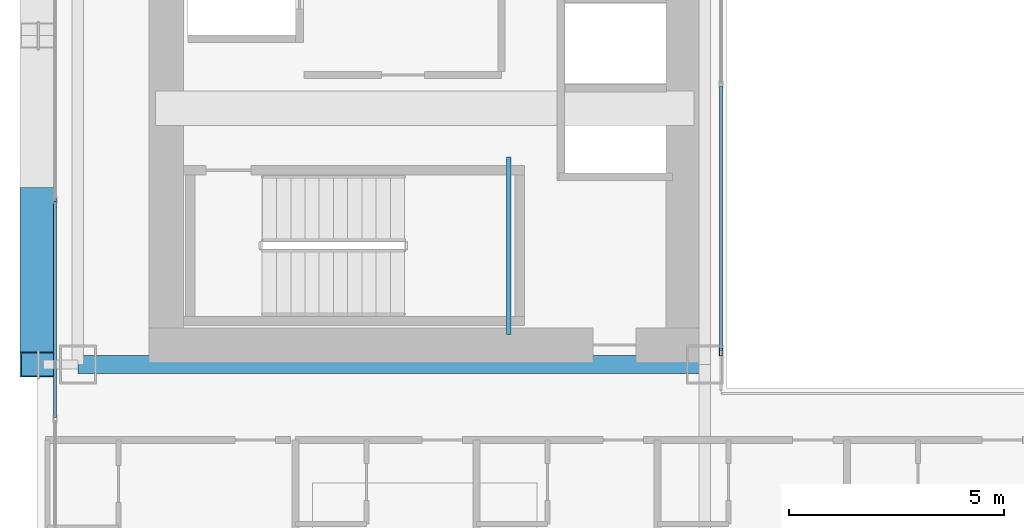
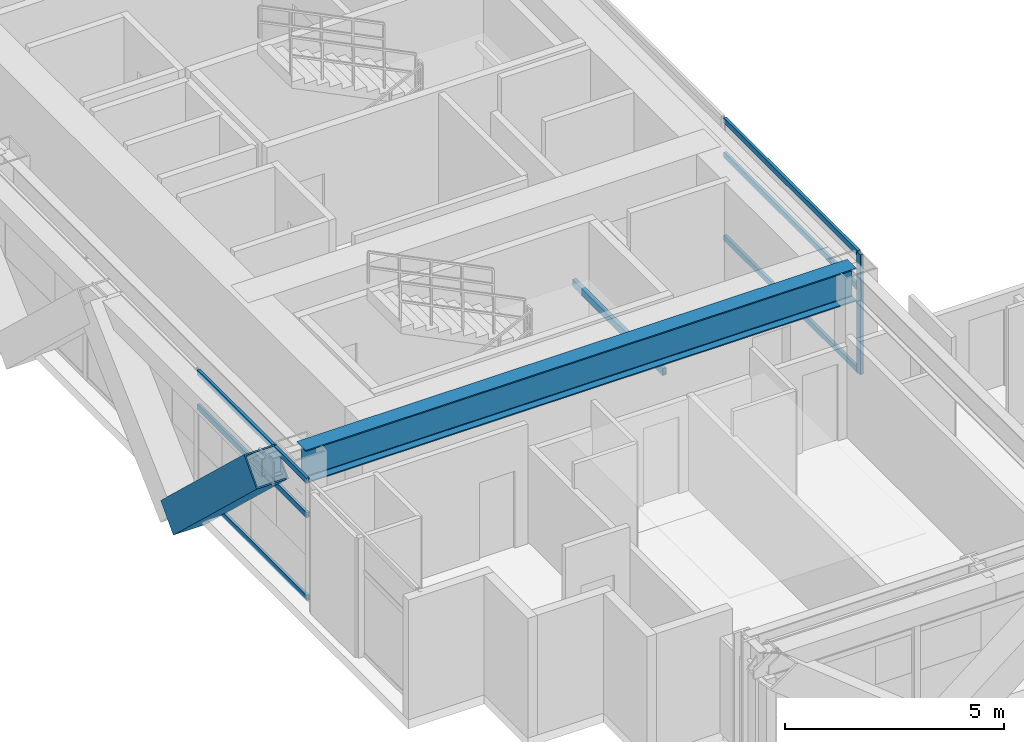
# One storey, part 4 of 41: 8 members, 2 beams, 2 elements without a shape of their own.
"""IFC4 building model written with IfcOpenShell, lengths in metres."""

from ifc_helpers import new_model, si_unit, direction, frame, origin, origin_2d, place, context, subcontext, project, spatial, hollow_rectangle, i_section, extrude, source, transform, mapped, material, layer, layer_set, material_profile, profile_set, type_object, element, aggregate, save


model = new_model("IFC4")

# Units and contexts
model_context = context("Model", 3, precision=1e-05, world=origin(), true_north=direction((0.0, 1.0)))
body_context = subcontext(model_context, "Body", "Model", "MODEL_VIEW")
ifc_project = project(units=[si_unit("LENGTHUNIT", "METRE"), si_unit("AREAUNIT", "SQUARE_METRE"), si_unit("VOLUMEUNIT", "CUBIC_METRE"), si_unit("PLANEANGLEUNIT", "RADIAN"), si_unit("MASSUNIT", "GRAM", prefix="KILO")], contexts=[model_context])

# Site, building, storey
site_placement = place(None, origin())
site = spatial("IfcSite", under=ifc_project, at=site_placement, CompositionType="ELEMENT")
building_placement = place(site_placement, origin())
building = spatial("IfcBuilding", under=site, at=building_placement, Name="Ocotamira Hotel", CompositionType="ELEMENT")
storey_placement = place(building_placement, frame((0.0, 0.0, 38.39990234375)))
storey = spatial("IfcBuildingStorey", under=building, at=storey_placement, Name="L08", CompositionType="ELEMENT", Elevation=38.39990234375)

# Beams
ifc_material_1 = material(Name="Steel ASTM A500 Grade C", Category="steel")
ifc_material_profile_1 = material_profile(ifc_material_1, hollow_rectangle(XDim=0.10009765625, YDim=0.199951171875, WallThickness=0.008056640625, at=origin_2d()), Name="HSS200X100X8")
ifc_profile_set_1 = profile_set([ifc_material_profile_1], Name="Steel ASTM A500 Grade C")
beam_type_1 = type_object("IfcBeamType", Name="BM-STLDG-HSS200", PredefinedType="BEAM", material=ifc_profile_set_1)
shared_shape_1 = source(origin(), body_context, "Body", "SweptSolid", [
    extrude(hollow_rectangle(XDim=0.10009765625, YDim=0.199951171875, WallThickness=0.008056640625, at=origin_2d()), origin(), (0.0, 0.0, 1.0), 4.1201171875),
])
beam_1_placement = place(storey_placement, frame((18.949951171875, 15.25, 1.5), z_axis=(0.0, 1.0, 0.0), x_axis=(-1.0, 0.0, 0.0)))
element("IfcBeam", 1, at=beam_1_placement, inside=storey, type_object=beam_type_1, Name="L08 Stair ST-1 Landing Bearer 1", PredefinedType="BEAM", context=body_context, shape_type="MappedRepresentation", body=[
    mapped(shared_shape_1, transform((0.0, 0.0, 0.0), scale=1.0)),
])
ifc_material_2 = material(Name="Steel ASTM A992 Grade 50", Category="steel")
ifc_material_profile_2 = material_profile(ifc_material_2, i_section(OverallWidth=0.41796875, OverallDepth=0.927001953125, WebThickness=0.019287109375, FlangeThickness=0.031982421875, FilletRadius=0.02392578125, at=origin_2d()), Name="W36X231")
ifc_profile_set_2 = profile_set([ifc_material_profile_2], Name="Steel ASTM A992 Grade 50")
beam_type_2 = type_object("IfcBeamType", Name="BM-GIRD-W36X231", PredefinedType="BEAM", material=ifc_profile_set_2)
shared_shape_2 = source(origin(), body_context, "Body", "SweptSolid", [
    extrude(i_section(OverallWidth=0.41796875, OverallDepth=0.927001953125, WebThickness=0.019287109375, FlangeThickness=0.031982421875, FilletRadius=0.02392578125, at=origin_2d()), origin(), (0.0, 0.0, 1.0), 14.550048828125),
])
beam_2_placement = place(storey_placement, frame((8.949951171875, 14.550048828125, 2.88671875), z_axis=(1.0, 0.0, 0.0), x_axis=(0.0, 1.0, 0.0)))
element("IfcBeam", 2, at=beam_2_placement, inside=storey, type_object=beam_type_2, Name="L08 Girder Y14.55 X8.95-23.5", PredefinedType="BEAM", context=body_context, shape_type="MappedRepresentation", body=[
    mapped(shared_shape_2, transform((0.0, 0.0, 0.0), scale=1.0)),
])

# Member
ifc_material_3 = material(Name="Pale-metal coated steel ASTM A913 Grade 65", Category="steel")
ifc_material_profile_3 = material_profile(ifc_material_3, hollow_rectangle(XDim=0.85009765625, YDim=0.85009765625, WallThickness=0.035888671875, at=origin_2d()), Name="BOX850X850X36")
ifc_profile_set_3 = profile_set([ifc_material_profile_3], Name="Pale-metal coated steel ASTM A913 Grade 65")
member_type_1 = type_object("IfcMemberType", Name="MEM-EXO-BOX850", PredefinedType="BRACE", material=ifc_profile_set_3)
shared_shape_3 = source(origin(), body_context, "Body", "SweptSolid", [
    extrude(hollow_rectangle(XDim=0.85009765625, YDim=0.85009765625, WallThickness=0.035888671875, at=origin_2d()), origin(), (0.0, 0.0, 1.0), 5.24658203125),
])
member_1_placement = place(storey_placement, frame((8.030029296875, 18.36669921875, -0.5), z_axis=(0.0, -0.727442733726, 0.686168397078), x_axis=(1.0, 0.0, 0.0)))
element("IfcMember", 3, at=member_1_placement, inside=storey, type_object=member_type_1, Name="L08 Exoskeleton Diagrid W0.1", PredefinedType="BRACE", context=body_context, shape_type="MappedRepresentation", body=[
    mapped(shared_shape_3, transform((0.0, 0.0, 0.0), scale=1.0)),
])

# Curtain wall, members
ifc_material_4 = material(Name="Anodised pale-metal aluminium and solar glass", Category="aluminium")
ifc_layer_1 = layer(ifc_material_4, 0.179931640625)
ifc_layer_set_1 = layer_set([ifc_layer_1], Name="Anodised pale-metal aluminium and solar glass")
curtain_wall_type_1 = type_object("IfcCurtainWallType", Name="CW-SYS2-Z1", PredefinedType="NOTDEFINED", material=ifc_layer_set_1)
curtain_wall_1_placement = place(storey_placement, origin())
curtain_wall_1 = element("IfcCurtainWall", 4, at=curtain_wall_1_placement, inside=storey, type_object=curtain_wall_type_1, Name="L08 Curtain Wall CW-2 CW-L08-W", PredefinedType="NOTDEFINED")
ifc_material_5 = material(Name="Anodised pale-metal aluminium 6063-T6", Category="aluminium")
ifc_material_profile_4 = material_profile(ifc_material_5, hollow_rectangle(XDim=0.074951171875, YDim=0.14990234375, WallThickness=0.006103515625, at=origin_2d()), Name="HSS150X75X6")
ifc_profile_set_4 = profile_set([ifc_material_profile_4], Name="Anodised pale-metal aluminium 6063-T6")
member_type_2 = type_object("IfcMemberType", Name="CWT-150X75", PredefinedType="USERDEFINED", material=ifc_profile_set_4)
shared_shape_4 = source(origin(), body_context, "Body", "SweptSolid", [
    extrude(hollow_rectangle(XDim=0.074951171875, YDim=0.14990234375, WallThickness=0.006103515625, at=origin_2d()), origin(), (0.0, 0.0, 1.0), 5.005859375),
])
member_2_placement = place(storey_placement, frame((8.419921875, 13.32568359375, 0.03759765625), z_axis=(0.0, 1.0, 0.0), x_axis=(-1.0, 0.0, 0.0)))
member_2 = element("IfcMember", 5, at=member_2_placement, type_object=member_type_2, Name="CW-2 transom 2.1", ObjectType="TRANSOM", PredefinedType="USERDEFINED", context=body_context, shape_type="MappedRepresentation", body=[
    mapped(shared_shape_4, transform((0.0, 0.0, 0.0), scale=1.0)),
])
member_3_placement = place(storey_placement, frame((8.419921875, 13.32568359375, 2.35009765625), z_axis=(0.0, 1.0, 0.0), x_axis=(-1.0, 0.0, 0.0)))
member_3 = element("IfcMember", 6, at=member_3_placement, type_object=member_type_2, Name="CW-2 transom 2.2", ObjectType="TRANSOM", PredefinedType="USERDEFINED", context=body_context, shape_type="MappedRepresentation", body=[
    mapped(shared_shape_4, transform((0.0, 0.0, 0.0), scale=1.0)),
])
member_4_placement = place(storey_placement, frame((8.419921875, 13.32568359375, 3.3125), z_axis=(0.0, 1.0, 0.0), x_axis=(-1.0, 0.0, 0.0)))
member_4 = element("IfcMember", 7, at=member_4_placement, type_object=member_type_2, Name="CW-2 transom 2.3", ObjectType="TRANSOM", PredefinedType="USERDEFINED", context=body_context, shape_type="MappedRepresentation", body=[
    mapped(shared_shape_4, transform((0.0, 0.0, 0.0), scale=1.0)),
])
aggregate(curtain_wall_1, [member_2, member_3, member_4])

ifc_layer_2 = layer(ifc_material_4, 0.159912109375)
ifc_layer_set_2 = layer_set([ifc_layer_2], Name="Anodised pale-metal aluminium and solar glass")
curtain_wall_type_2 = type_object("IfcCurtainWallType", Name="CW-SYS6-ATR", PredefinedType="NOTDEFINED", material=ifc_layer_set_2)
curtain_wall_2_placement = place(storey_placement, origin())
curtain_wall_2 = element("IfcCurtainWall", 8, at=curtain_wall_2_placement, inside=storey, type_object=curtain_wall_type_2, Name="L08 Curtain Wall CW-6 CW-L08-ATRW1", PredefinedType="NOTDEFINED")
ifc_material_profile_5 = material_profile(ifc_material_5, hollow_rectangle(XDim=0.080078125, YDim=0.179931640625, WallThickness=0.006103515625, at=origin_2d()), Name="HSS180X80X6")
ifc_profile_set_5 = profile_set([ifc_material_profile_5], Name="Anodised pale-metal aluminium 6063-T6")
member_type_3 = type_object("IfcMemberType", Name="CWM-180X75", PredefinedType="MULLION", material=ifc_profile_set_5)
shared_shape_5 = source(origin(), body_context, "Body", "SweptSolid", [
    extrude(hollow_rectangle(XDim=0.080078125, YDim=0.179931640625, WallThickness=0.006103515625, at=origin_2d()), origin(), (0.0, 0.0, 1.0), 3.35009765625),
])
member_5_placement = place(storey_placement, frame((23.8798828125, 14.840087890625, 0.0), z_axis=(0.0, 0.0, 1.0), x_axis=(-1.0, 0.0, 0.0)))
member_5 = element("IfcMember", 9, at=member_5_placement, type_object=member_type_3, Name="CW-6 mullion 1", PredefinedType="MULLION", context=body_context, shape_type="MappedRepresentation", body=[
    mapped(shared_shape_5, transform((0.0, 0.0, 0.0), scale=1.0)),
])
shared_shape_6 = source(origin(), body_context, "Body", "SweptSolid", [
    extrude(hollow_rectangle(XDim=0.074951171875, YDim=0.14990234375, WallThickness=0.006103515625, at=origin_2d()), origin(), (0.0, 0.0, 1.0), 6.130126953125),
])
member_6_placement = place(storey_placement, frame((23.8798828125, 14.8798828125, 0.03759765625), z_axis=(0.0, 1.0, 0.0), x_axis=(-1.0, 0.0, 0.0)))
member_6 = element("IfcMember", 10, at=member_6_placement, type_object=member_type_2, Name="CW-6 transom 1.1", ObjectType="TRANSOM", PredefinedType="USERDEFINED", context=body_context, shape_type="MappedRepresentation", body=[
    mapped(shared_shape_6, transform((0.0, 0.0, 0.0), scale=1.0)),
])
member_7_placement = place(storey_placement, frame((23.8798828125, 14.8798828125, 2.35009765625), z_axis=(0.0, 1.0, 0.0), x_axis=(-1.0, 0.0, 0.0)))
member_7 = element("IfcMember", 11, at=member_7_placement, type_object=member_type_2, Name="CW-6 transom 1.2", ObjectType="TRANSOM", PredefinedType="USERDEFINED", context=body_context, shape_type="MappedRepresentation", body=[
    mapped(shared_shape_6, transform((0.0, 0.0, 0.0), scale=1.0)),
])
member_8_placement = place(storey_placement, frame((23.8798828125, 14.8798828125, 3.3125), z_axis=(0.0, 1.0, 0.0), x_axis=(-1.0, 0.0, 0.0)))
member_8 = element("IfcMember", 12, at=member_8_placement, type_object=member_type_2, Name="CW-6 transom 1.3", ObjectType="TRANSOM", PredefinedType="USERDEFINED", context=body_context, shape_type="MappedRepresentation", body=[
    mapped(shared_shape_6, transform((0.0, 0.0, 0.0), scale=1.0)),
])
aggregate(curtain_wall_2, [member_5, member_6, member_7, member_8])

save(model, "model.ifc")
